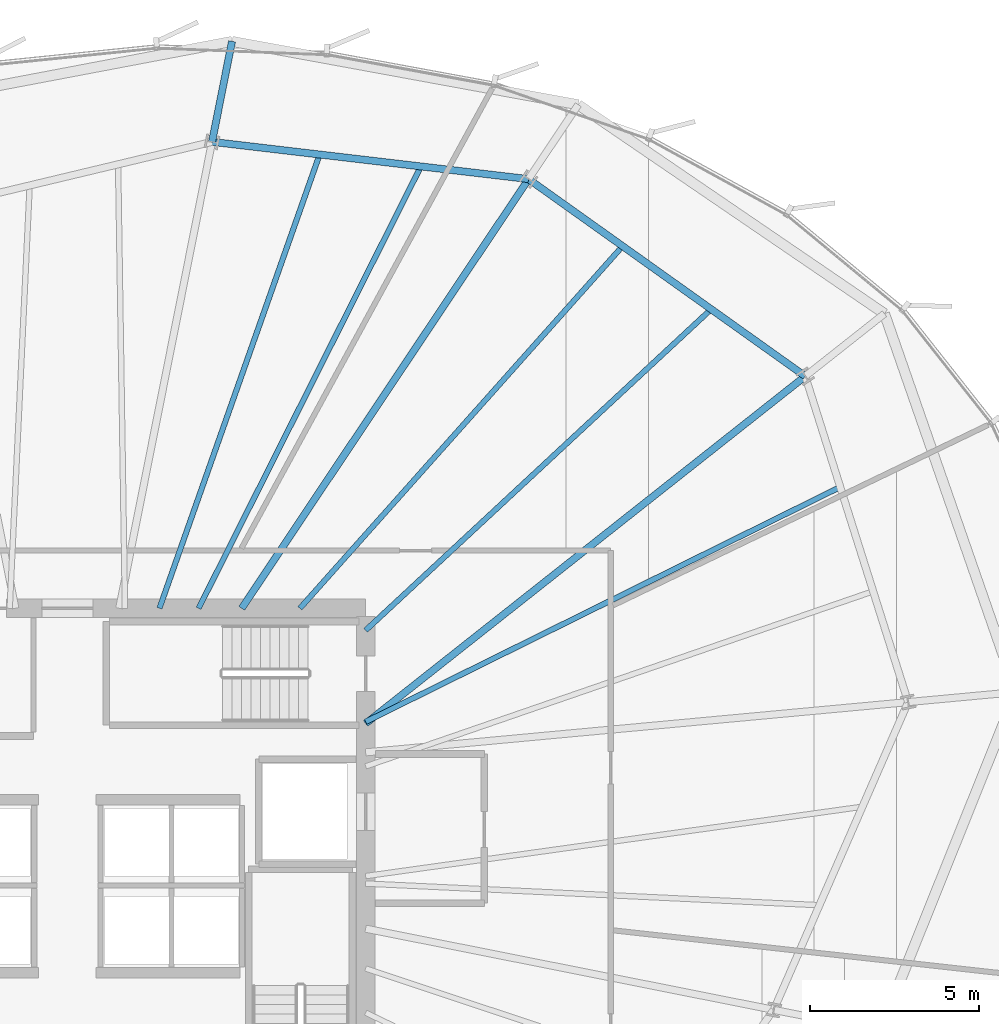
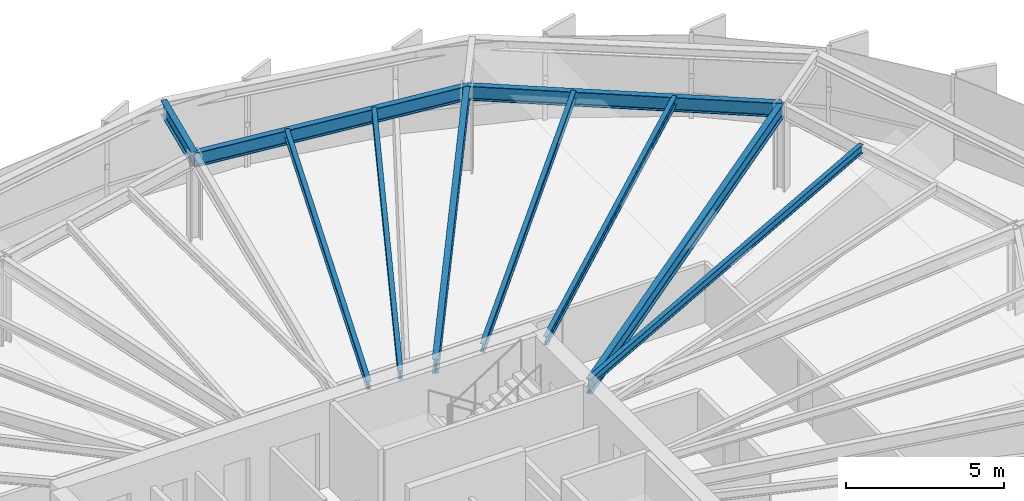
# One storey, part 23 of 35: 10 beams.
"""IFC4 building model written with IfcOpenShell, lengths in metres."""

from ifc_helpers import new_model, si_unit, direction, frame, origin, origin_2d, place, context, subcontext, project, spatial, i_section, extrude, source, transform, mapped, material, material_profile, profile_set, type_object, element, save


model = new_model("IFC4")

# Units and contexts
model_context = context("Model", 3, precision=1e-05, world=origin(), true_north=direction((0.0, 1.0)))
body_context = subcontext(model_context, "Body", "Model", "MODEL_VIEW")
ifc_project = project(units=[si_unit("LENGTHUNIT", "METRE"), si_unit("AREAUNIT", "SQUARE_METRE"), si_unit("VOLUMEUNIT", "CUBIC_METRE"), si_unit("PLANEANGLEUNIT", "RADIAN"), si_unit("MASSUNIT", "GRAM", prefix="KILO"), si_unit("THERMODYNAMICTEMPERATUREUNIT", "KELVIN")], contexts=[model_context])

# Site, building, storey
site_placement = place(None, origin())
site = spatial("IfcSite", under=ifc_project, at=site_placement, CompositionType="ELEMENT")
building_placement = place(site_placement, origin())
building = spatial("IfcBuilding", under=site, at=building_placement, Name="Kethvar Cultural Tower", CompositionType="ELEMENT")
storey_placement = place(building_placement, frame((0.0, 0.0, 107.199951171875)))
storey = spatial("IfcBuildingStorey", under=building, at=storey_placement, Name="L26", CompositionType="ELEMENT", Elevation=107.199951171875)

# Beams
ifc_material = material(Name="Steel S355J2", Category="steel")
ifc_material_profile_1 = material_profile(ifc_material, i_section(OverallWidth=0.2099609375, OverallDepth=0.550048828125, WebThickness=0.010986328125, FlangeThickness=0.01708984375, FilletRadius=0.02392578125, at=origin_2d()), Name="Steel S355J2 — IPE550")
ifc_profile_set_1 = profile_set([ifc_material_profile_1], Name="Steel S355J2 — IPE550")
beam_type_1 = type_object("IfcBeamType", Name="BM-IPE550", PredefinedType="BEAM", material=ifc_profile_set_1)
shared_shape_1 = source(origin(), body_context, "Body", "SweptSolid", [
    extrude(i_section(OverallWidth=0.2099609375, OverallDepth=0.550048828125, WebThickness=0.010986328125, FlangeThickness=0.01708984375, FilletRadius=0.02392578125, at=origin_2d()), origin(), (0.0, 0.0, 1.0), 16.527099609375),
])
beam_1_placement = place(storey_placement, frame((55.60009765625, 32.10009765625, 3.072998046875), z_axis=(0.784681939021, 0.619898584105, 0.0), x_axis=(-0.619898584105, 0.784681939021, 0.0)))
element("IfcBeam", 1, at=beam_1_placement, inside=storey, type_object=beam_type_1, Name="L26 Primary Radial Beam RB-02", PredefinedType="BEAM", context=body_context, shape_type="MappedRepresentation", body=[
    mapped(shared_shape_1, transform((0.0, 0.0, 0.0), scale=1.0)),
])
shared_shape_2 = source(origin(), body_context, "Body", "SweptSolid", [
    extrude(i_section(OverallWidth=0.2099609375, OverallDepth=0.550048828125, WebThickness=0.010986328125, FlangeThickness=0.01708984375, FilletRadius=0.02392578125, at=origin_2d()), origin(), (0.0, 0.0, 1.0), 15.22705078125),
])
beam_2_placement = place(storey_placement, frame((51.945068359375, 35.5, 3.072998046875), z_axis=(0.555569390778, 0.83147017507, 0.0), x_axis=(-0.83147017507, 0.555569390778, 0.0)))
element("IfcBeam", 2, at=beam_2_placement, inside=storey, type_object=beam_type_1, Name="L26 Primary Radial Beam RB-03", PredefinedType="BEAM", context=body_context, shape_type="MappedRepresentation", body=[
    mapped(shared_shape_2, transform((0.0, 0.0, 0.0), scale=1.0)),
])
ifc_material_profile_2 = material_profile(ifc_material, i_section(OverallWidth=0.159912109375, OverallDepth=0.330078125, WebThickness=0.007568359375, FlangeThickness=0.011474609375, FilletRadius=0.01806640625, at=origin_2d()), Name="Steel S355J2 — IPE330")
ifc_profile_set_2 = profile_set([ifc_material_profile_2], Name="Steel S355J2 — IPE330")
beam_type_2 = type_object("IfcBeamType", Name="BM-J330", PredefinedType="JOIST", material=ifc_profile_set_2)
shared_shape_3 = source(origin(), body_context, "Body", "SweptSolid", [
    extrude(i_section(OverallWidth=0.159912109375, OverallDepth=0.330078125, WebThickness=0.007568359375, FlangeThickness=0.011474609375, FilletRadius=0.01806640625, at=origin_2d()), origin(), (0.0, 0.0, 1.0), 15.618896484375),
])
beam_3_placement = place(storey_placement, frame((55.60009765625, 32.152587890625, 3.18310546875), z_axis=(0.896344638992, 0.443357968408, 0.0), x_axis=(-0.443357968408, 0.896344638992, 0.0)))
element("IfcBeam", 3, at=beam_3_placement, inside=storey, type_object=beam_type_2, Name="L26 Composite Floor Joist J-01B", PredefinedType="JOIST", context=body_context, shape_type="MappedRepresentation", body=[
    mapped(shared_shape_3, transform((0.0, 0.0, 0.0), scale=1.0)),
])
shared_shape_4 = source(origin(), body_context, "Body", "SweptSolid", [
    extrude(i_section(OverallWidth=0.2099609375, OverallDepth=0.550048828125, WebThickness=0.010986328125, FlangeThickness=0.01708984375, FilletRadius=0.02392578125, at=origin_2d()), origin(), (0.0, 0.0, 1.0), 10.0234375),
])
beam_4_placement = place(storey_placement, frame((68.568603515625, 42.34521484375, 3.072998046875), z_axis=(-0.814470106239, 0.580205520521, 0.0), x_axis=(-0.580205520521, -0.814470106239, 0.0)))
element("IfcBeam", 4, at=beam_4_placement, inside=storey, type_object=beam_type_1, Name="L26 Column Ring Tie Beam CR-02", PredefinedType="BEAM", context=body_context, shape_type="MappedRepresentation", body=[
    mapped(shared_shape_4, transform((0.0, 0.0, 0.0), scale=1.0)),
])
shared_shape_5 = source(origin(), body_context, "Body", "SweptSolid", [
    extrude(i_section(OverallWidth=0.159912109375, OverallDepth=0.330078125, WebThickness=0.007568359375, FlangeThickness=0.011474609375, FilletRadius=0.01806640625, at=origin_2d()), origin(), (0.0, 0.0, 1.0), 13.91455078125),
])
beam_5_placement = place(storey_placement, frame((55.60009765625, 34.85009765625, 3.18310546875), z_axis=(0.732512843328, 0.680753211054, 0.0), x_axis=(-0.680753211054, 0.732512843328, 0.0)))
element("IfcBeam", 5, at=beam_5_placement, inside=storey, type_object=beam_type_2, Name="L26 Composite Floor Joist J-02A", PredefinedType="JOIST", context=body_context, shape_type="MappedRepresentation", body=[
    mapped(shared_shape_5, transform((0.0, 0.0, 0.0), scale=1.0)),
])
shared_shape_6 = source(origin(), body_context, "Body", "SweptSolid", [
    extrude(i_section(OverallWidth=0.159912109375, OverallDepth=0.330078125, WebThickness=0.007568359375, FlangeThickness=0.011474609375, FilletRadius=0.01806640625, at=origin_2d()), origin(), (0.0, 0.0, 1.0), 14.3095703125),
])
beam_6_placement = place(storey_placement, frame((53.660888671875, 35.5, 3.18310546875), z_axis=(0.665261381663, 0.746610537073, 0.0), x_axis=(-0.746610537073, 0.665261381663, 0.0)))
element("IfcBeam", 6, at=beam_6_placement, inside=storey, type_object=beam_type_2, Name="L26 Composite Floor Joist J-02B", PredefinedType="JOIST", context=body_context, shape_type="MappedRepresentation", body=[
    mapped(shared_shape_6, transform((0.0, 0.0, 0.0), scale=1.0)),
])
shared_shape_7 = source(origin(), body_context, "Body", "SweptSolid", [
    extrude(i_section(OverallWidth=0.2099609375, OverallDepth=0.550048828125, WebThickness=0.010986328125, FlangeThickness=0.01708984375, FilletRadius=0.02392578125, at=origin_2d()), origin(), (0.0, 0.0, 1.0), 9.400634765625),
])
beam_7_placement = place(storey_placement, frame((60.40478515625, 48.160888671875, 3.072998046875), z_axis=(-0.993150427046, 0.116842754407, 0.0), x_axis=(-0.116842754407, -0.993150427046, 0.0)))
element("IfcBeam", 7, at=beam_7_placement, inside=storey, type_object=beam_type_1, Name="L26 Column Ring Tie Beam CR-03", PredefinedType="BEAM", context=body_context, shape_type="MappedRepresentation", body=[
    mapped(shared_shape_7, transform((0.0, 0.0, 0.0), scale=1.0)),
])
shared_shape_8 = source(origin(), body_context, "Body", "SweptSolid", [
    extrude(i_section(OverallWidth=0.159912109375, OverallDepth=0.330078125, WebThickness=0.007568359375, FlangeThickness=0.011474609375, FilletRadius=0.01806640625, at=origin_2d()), origin(), (0.0, 0.0, 1.0), 14.590576171875),
])
beam_8_placement = place(storey_placement, frame((50.673583984375, 35.5, 3.18310546875), z_axis=(0.449394228778, 0.893333547529, 0.0), x_axis=(-0.893333547529, 0.449394228778, 0.0)))
element("IfcBeam", 8, at=beam_8_placement, inside=storey, type_object=beam_type_2, Name="L26 Composite Floor Joist J-03A", PredefinedType="JOIST", context=body_context, shape_type="MappedRepresentation", body=[
    mapped(shared_shape_8, transform((0.0, 0.0, 0.0), scale=1.0)),
])
shared_shape_9 = source(origin(), body_context, "Body", "SweptSolid", [
    extrude(i_section(OverallWidth=0.159912109375, OverallDepth=0.330078125, WebThickness=0.007568359375, FlangeThickness=0.011474609375, FilletRadius=0.01806640625, at=origin_2d()), origin(), (0.0, 0.0, 1.0), 14.1953125),
])
beam_9_placement = place(storey_placement, frame((49.517822265625, 35.5, 3.18310546875), z_axis=(0.332865098769, 0.942974456717, 0.0), x_axis=(-0.942974456717, 0.332865098769, 0.0)))
element("IfcBeam", 9, at=beam_9_placement, inside=storey, type_object=beam_type_2, Name="L26 Composite Floor Joist J-03B", PredefinedType="JOIST", context=body_context, shape_type="MappedRepresentation", body=[
    mapped(shared_shape_9, transform((0.0, 0.0, 0.0), scale=1.0)),
])
shared_shape_10 = source(origin(), body_context, "Body", "SweptSolid", [
    extrude(i_section(OverallWidth=0.2099609375, OverallDepth=0.550048828125, WebThickness=0.010986328125, FlangeThickness=0.01708984375, FilletRadius=0.02392578125, at=origin_2d()), origin(), (0.0, 0.0, 1.0), 3.02392578125),
])
beam_10_placement = place(storey_placement, frame((51.068603515625, 49.25927734375, 3.072998046875), z_axis=(0.195060231872, 0.980791265225, 0.0), x_axis=(-0.980791265225, 0.195060231872, 0.0)))
element("IfcBeam", 10, at=beam_10_placement, inside=storey, type_object=beam_type_1, Name="L26 Perimeter Cantilever Beam RC-04", PredefinedType="BEAM", context=body_context, shape_type="MappedRepresentation", body=[
    mapped(shared_shape_10, transform((0.0, 0.0, 0.0), scale=1.0)),
])

save(model, "model.ifc")
